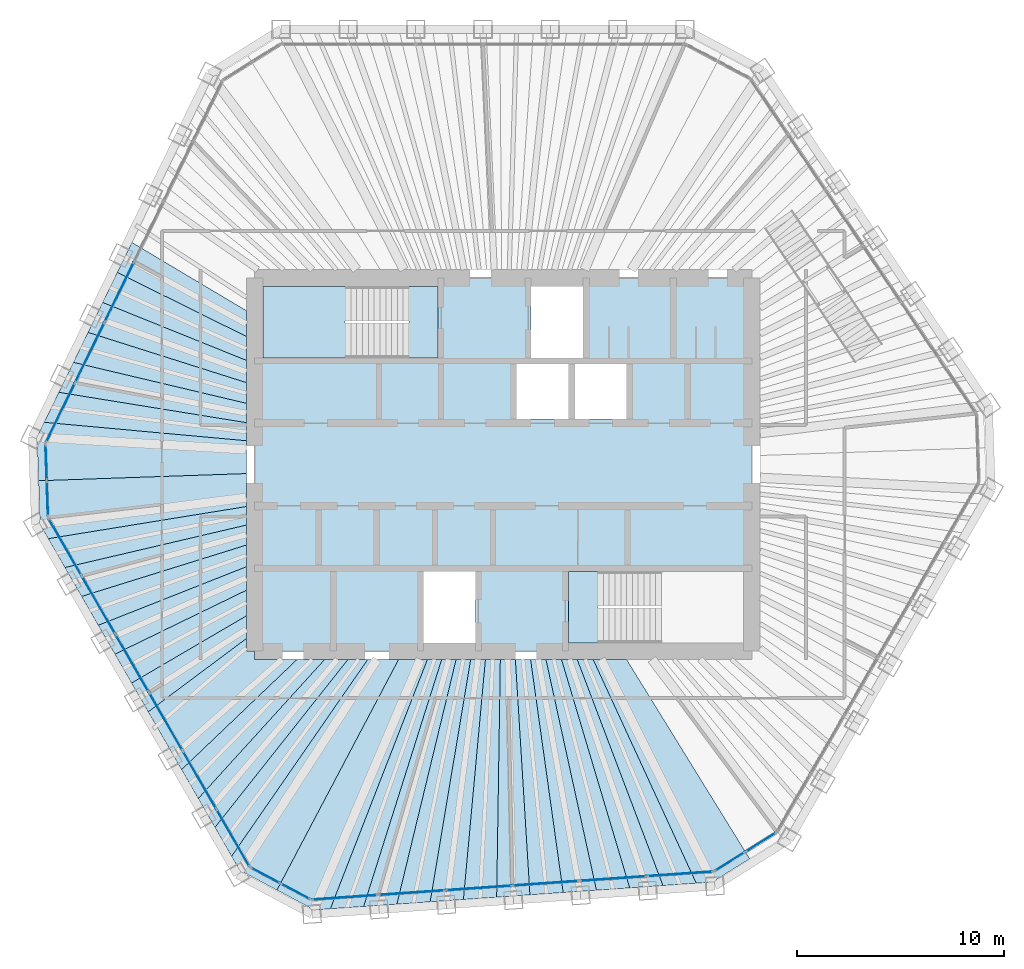
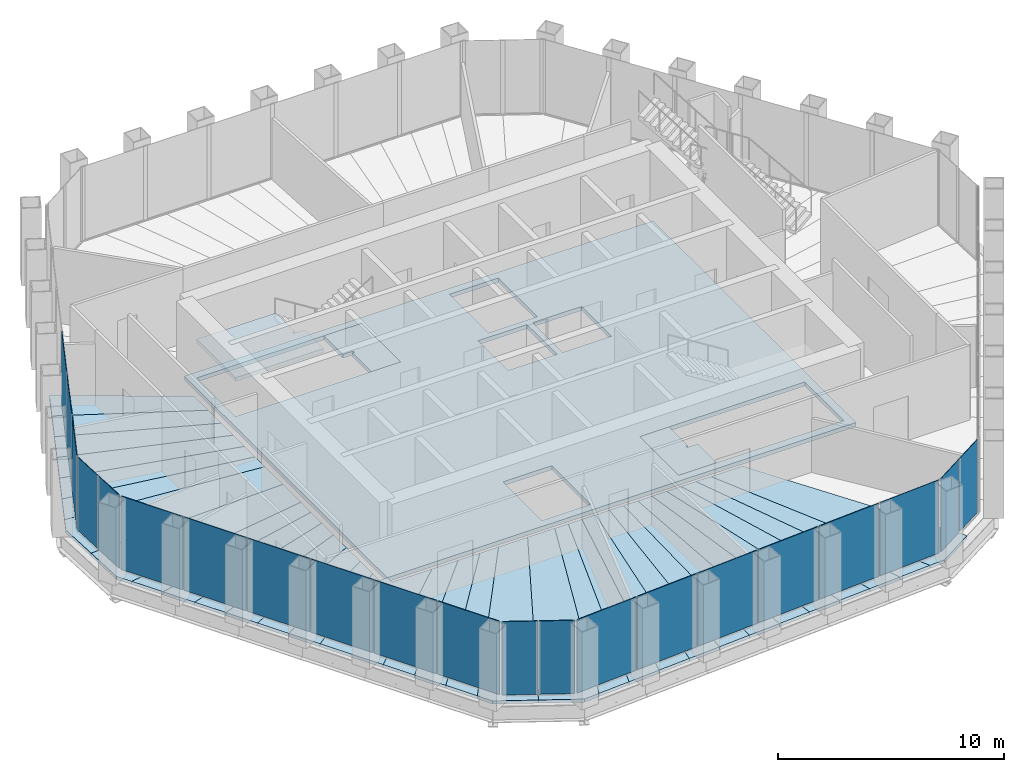
# One storey, part 9 of 14: 36 slabs, 21 plates, 8 elements without a shape of their own.
"""IFC4 building model written with IfcOpenShell, lengths in metres."""

from ifc_helpers import new_model, si_unit, direction, frame, origin, origin_2d, place, context, subcontext, project, spatial, polyline, rectangle, outline, extrude, material, layer, layer_set, type_object, element, aggregate, save


model = new_model("IFC4")

# Units and contexts
model_context = context("Model", 3, precision=1e-05, world=origin(), true_north=direction((0.0, 1.0)))
body_context = subcontext(model_context, "Body", "Model", "MODEL_VIEW")
ifc_project = project(units=[si_unit("LENGTHUNIT", "METRE"), si_unit("AREAUNIT", "SQUARE_METRE"), si_unit("VOLUMEUNIT", "CUBIC_METRE"), si_unit("PLANEANGLEUNIT", "RADIAN"), si_unit("MASSUNIT", "GRAM", prefix="KILO")], contexts=[model_context])

# Site, building, storey
site_placement = place(None, origin())
site = spatial("IfcSite", under=ifc_project, at=site_placement, CompositionType="ELEMENT")
building_placement = place(site_placement, origin())
building = spatial("IfcBuilding", under=site, at=building_placement, Name="Qingtian Harvest Tower", CompositionType="ELEMENT")
storey_placement = place(building_placement, frame((0.0, 0.0, 325.0)))
storey = spatial("IfcBuildingStorey", under=building, at=storey_placement, Name="L72", CompositionType="ELEMENT", Elevation=325.0)

# Slabs
ifc_material_1 = material(Name="Concrete fc' 35 MPa", Category="concrete")
ifc_layer_1 = layer(ifc_material_1, 0.169921875)
ifc_layer_set_1 = layer_set([ifc_layer_1], Name="Composite floor slab FS17 170")
slab_type_1 = type_object("IfcSlabType", Name="Composite floor slab FS17 170", PredefinedType="FLOOR", material=ifc_layer_set_1)
slab_1_placement = place(storey_placement, frame((0.0, 0.0, -0.169921875)))
element("IfcSlab", 1, at=slab_1_placement, inside=storey, type_object=slab_type_1, Name="Floor slab L72 panel D01", PredefinedType="FLOOR", context=body_context, shape_type="SweptSolid", body=[
    extrude(outline(polyline([(-22.422607421875, -0.783203125), (-12.39990234375, -0.436767578125), (-12.39990234375, -2.028564453125), (-21.95751953125, -3.578369140625), (-22.348876953125, -2.90087890625), (-22.422607421875, -0.783203125)])), origin(), (0.0, 0.0, 1.0), 0.169921875),
])
slab_2_placement = place(storey_placement, frame((0.0, 0.0, -0.169921875)))
element("IfcSlab", 2, at=slab_2_placement, inside=storey, type_object=slab_type_1, Name="Floor slab L72 panel D02", PredefinedType="FLOOR", context=body_context, shape_type="SweptSolid", body=[
    extrude(outline(polyline([(-12.39990234375, -2.923095703125), (-21.153076171875, -4.9716796875), (-21.95751953125, -3.578369140625), (-12.39990234375, -2.028564453125), (-12.39990234375, -2.923095703125)])), origin(), (0.0, 0.0, 1.0), 0.169921875),
])
slab_3_placement = place(storey_placement, frame((0.0, 0.0, -0.169921875)))
element("IfcSlab", 3, at=slab_3_placement, inside=storey, type_object=slab_type_1, Name="Floor slab L72 panel D03", PredefinedType="FLOOR", context=body_context, shape_type="SweptSolid", body=[
    extrude(outline(polyline([(-12.39990234375, -3.888427734375), (-20.3486328125, -6.365234375), (-21.153076171875, -4.9716796875), (-12.39990234375, -2.923095703125), (-12.39990234375, -3.888427734375)])), origin(), (0.0, 0.0, 1.0), 0.169921875),
])
slab_4_placement = place(storey_placement, frame((0.0, 0.0, -0.169921875)))
element("IfcSlab", 4, at=slab_4_placement, inside=storey, type_object=slab_type_1, Name="Floor slab L72 panel D04", PredefinedType="FLOOR", context=body_context, shape_type="SweptSolid", body=[
    extrude(outline(polyline([(-12.39990234375, -4.93359375), (-19.544189453125, -7.758544921875), (-20.3486328125, -6.365234375), (-12.39990234375, -3.888427734375), (-12.39990234375, -4.93359375)])), origin(), (0.0, 0.0, 1.0), 0.169921875),
])
slab_5_placement = place(storey_placement, frame((0.0, 0.0, -0.169921875)))
element("IfcSlab", 5, at=slab_5_placement, inside=storey, type_object=slab_type_1, Name="Floor slab L72 panel D05", PredefinedType="FLOOR", context=body_context, shape_type="SweptSolid", body=[
    extrude(outline(polyline([(-12.39990234375, -6.068359375), (-18.73974609375, -9.15185546875), (-19.544189453125, -7.758544921875), (-12.39990234375, -4.93359375), (-12.39990234375, -6.068359375)])), origin(), (0.0, 0.0, 1.0), 0.169921875),
])
slab_6_placement = place(storey_placement, frame((0.0, 0.0, -0.169921875)))
element("IfcSlab", 6, at=slab_6_placement, inside=storey, type_object=slab_type_1, Name="Floor slab L72 panel D06", PredefinedType="FLOOR", context=body_context, shape_type="SweptSolid", body=[
    extrude(outline(polyline([(-12.39990234375, -7.304931640625), (-17.93505859375, -10.54541015625), (-18.73974609375, -9.15185546875), (-12.39990234375, -6.068359375), (-12.39990234375, -7.304931640625)])), origin(), (0.0, 0.0, 1.0), 0.169921875),
])
slab_7_placement = place(storey_placement, frame((0.0, 0.0, -0.169921875)))
element("IfcSlab", 7, at=slab_7_placement, inside=storey, type_object=slab_type_1, Name="Floor slab L72 panel D07", PredefinedType="FLOOR", context=body_context, shape_type="SweptSolid", body=[
    extrude(outline(polyline([(-12.39990234375, -8.400390625), (-17.134033203125, -11.932861328125), (-17.93505859375, -10.54541015625), (-12.39990234375, -7.304931640625), (-12.39990234375, -8.400390625)])), origin(), (0.0, 0.0, 1.0), 0.169921875),
])
slab_8_placement = place(storey_placement, frame((0.0, 0.0, -0.169921875)))
element("IfcSlab", 8, at=slab_8_placement, inside=storey, type_object=slab_type_1, Name="Floor slab L72 panel D09", PredefinedType="FLOOR", context=body_context, shape_type="SweptSolid", body=[
    extrude(outline(polyline([(-15.522216796875, -14.724609375), (-17.134033203125, -11.932861328125), (-12.39990234375, -8.400390625), (-12.39990234375, -9.0), (-12.0, -9.0), (-12.0, -9.39990234375), (-9.943115234375, -9.39990234375), (-15.522216796875, -14.724609375)])), origin(), (0.0, 0.0, 1.0), 0.169921875),
])
slab_9_placement = place(storey_placement, frame((0.0, 0.0, -0.169921875)))
element("IfcSlab", 9, at=slab_9_placement, inside=storey, type_object=slab_type_1, Name="Floor slab L72 panel D10", PredefinedType="FLOOR", context=body_context, shape_type="SweptSolid", body=[
    extrude(outline(polyline([(-8.609130859375, -9.39990234375), (-14.7177734375, -16.1181640625), (-15.522216796875, -14.724609375), (-9.943115234375, -9.39990234375), (-8.609130859375, -9.39990234375)])), origin(), (0.0, 0.0, 1.0), 0.169921875),
])
slab_10_placement = place(storey_placement, frame((0.0, 0.0, -0.169921875)))
element("IfcSlab", 10, at=slab_10_placement, inside=storey, type_object=slab_type_1, Name="Floor slab L72 panel D11", PredefinedType="FLOOR", context=body_context, shape_type="SweptSolid", body=[
    extrude(outline(polyline([(-7.488525390625, -9.39990234375), (-13.9130859375, -17.51171875), (-14.7177734375, -16.1181640625), (-8.609130859375, -9.39990234375), (-7.488525390625, -9.39990234375)])), origin(), (0.0, 0.0, 1.0), 0.169921875),
])
slab_11_placement = place(storey_placement, frame((0.0, 0.0, -0.169921875)))
element("IfcSlab", 11, at=slab_11_placement, inside=storey, type_object=slab_type_1, Name="Floor slab L72 panel D12", PredefinedType="FLOOR", context=body_context, shape_type="SweptSolid", body=[
    extrude(outline(polyline([(-6.533935546875, -9.39990234375), (-13.108642578125, -18.905029296875), (-13.9130859375, -17.51171875), (-7.488525390625, -9.39990234375), (-6.533935546875, -9.39990234375)])), origin(), (0.0, 0.0, 1.0), 0.169921875),
])
slab_12_placement = place(storey_placement, frame((0.0, 0.0, -0.169921875)))
element("IfcSlab", 12, at=slab_12_placement, inside=storey, type_object=slab_type_1, Name="Floor slab L72 panel D13", PredefinedType="FLOOR", context=body_context, shape_type="SweptSolid", body=[
    extrude(outline(polyline([(-6.533935546875, -9.39990234375), (-5.04638671875, -9.39990234375), (-10.921142578125, -20.537841796875), (-12.717529296875, -19.582763671875), (-13.108642578125, -18.905029296875), (-6.533935546875, -9.39990234375)])), origin(), (0.0, 0.0, 1.0), 0.169921875),
])
slab_13_placement = place(storey_placement, frame((0.0, 0.0, -0.169921875)))
element("IfcSlab", 13, at=slab_13_placement, inside=storey, type_object=slab_type_1, Name="Floor slab L72 panel D14", PredefinedType="FLOOR", context=body_context, shape_type="SweptSolid", body=[
    extrude(outline(polyline([(-5.04638671875, -9.39990234375), (-3.656982421875, -9.39990234375), (-8.343017578125, -21.439208984375), (-9.123291015625, -21.49365234375), (-10.921142578125, -20.537841796875), (-5.04638671875, -9.39990234375)])), origin(), (0.0, 0.0, 1.0), 0.169921875),
])
slab_14_placement = place(storey_placement, frame((0.0, 0.0, -0.169921875)))
element("IfcSlab", 14, at=slab_14_placement, inside=storey, type_object=slab_type_1, Name="Floor slab L72 panel D15", PredefinedType="FLOOR", context=body_context, shape_type="SweptSolid", body=[
    extrude(outline(polyline([(-2.968994140625, -9.39990234375), (-6.738037109375, -21.326904296875), (-8.343017578125, -21.439208984375), (-3.656982421875, -9.39990234375), (-2.968994140625, -9.39990234375)])), origin(), (0.0, 0.0, 1.0), 0.169921875),
])
slab_15_placement = place(storey_placement, frame((0.0, 0.0, -0.169921875)))
element("IfcSlab", 15, at=slab_15_placement, inside=storey, type_object=slab_type_1, Name="Floor slab L72 panel D16", PredefinedType="FLOOR", context=body_context, shape_type="SweptSolid", body=[
    extrude(outline(polyline([(-2.2734375, -9.39990234375), (-5.133056640625, -21.21484375), (-6.738037109375, -21.326904296875), (-2.968994140625, -9.39990234375), (-2.2734375, -9.39990234375)])), origin(), (0.0, 0.0, 1.0), 0.169921875),
])
slab_16_placement = place(storey_placement, frame((0.0, 0.0, -0.169921875)))
element("IfcSlab", 16, at=slab_16_placement, inside=storey, type_object=slab_type_1, Name="Floor slab L72 panel D17", PredefinedType="FLOOR", context=body_context, shape_type="SweptSolid", body=[
    extrude(outline(polyline([(-1.570556640625, -9.39990234375), (-3.528076171875, -21.1025390625), (-5.133056640625, -21.21484375), (-2.2734375, -9.39990234375), (-1.570556640625, -9.39990234375)])), origin(), (0.0, 0.0, 1.0), 0.169921875),
])
slab_17_placement = place(storey_placement, frame((0.0, 0.0, -0.169921875)))
element("IfcSlab", 17, at=slab_17_placement, inside=storey, type_object=slab_type_1, Name="Floor slab L72 panel D18", PredefinedType="FLOOR", context=body_context, shape_type="SweptSolid", body=[
    extrude(outline(polyline([(-0.860107421875, -9.39990234375), (-1.9228515625, -20.990234375), (-3.528076171875, -21.1025390625), (-1.570556640625, -9.39990234375), (-0.860107421875, -9.39990234375)])), origin(), (0.0, 0.0, 1.0), 0.169921875),
])
slab_18_placement = place(storey_placement, frame((0.0, 0.0, -0.169921875)))
element("IfcSlab", 18, at=slab_18_placement, inside=storey, type_object=slab_type_1, Name="Floor slab L72 panel D19", PredefinedType="FLOOR", context=body_context, shape_type="SweptSolid", body=[
    extrude(outline(polyline([(-0.14208984375, -9.39990234375), (-0.31787109375, -20.8779296875), (-1.9228515625, -20.990234375), (-0.860107421875, -9.39990234375), (-0.14208984375, -9.39990234375)])), origin(), (0.0, 0.0, 1.0), 0.169921875),
])
slab_19_placement = place(storey_placement, frame((0.0, 0.0, -0.169921875)))
element("IfcSlab", 19, at=slab_19_placement, inside=storey, type_object=slab_type_1, Name="Floor slab L72 panel D20", PredefinedType="FLOOR", context=body_context, shape_type="SweptSolid", body=[
    extrude(outline(polyline([(0.58349609375, -9.39990234375), (1.287109375, -20.765869140625), (-0.31787109375, -20.8779296875), (-0.14208984375, -9.39990234375), (0.58349609375, -9.39990234375)])), origin(), (0.0, 0.0, 1.0), 0.169921875),
])
slab_20_placement = place(storey_placement, frame((0.0, 0.0, -0.169921875)))
element("IfcSlab", 20, at=slab_20_placement, inside=storey, type_object=slab_type_1, Name="Floor slab L72 panel D21", PredefinedType="FLOOR", context=body_context, shape_type="SweptSolid", body=[
    extrude(outline(polyline([(1.3173828125, -9.39990234375), (2.89208984375, -20.653564453125), (1.287109375, -20.765869140625), (0.58349609375, -9.39990234375), (1.3173828125, -9.39990234375)])), origin(), (0.0, 0.0, 1.0), 0.169921875),
])
slab_21_placement = place(storey_placement, frame((0.0, 0.0, -0.169921875)))
element("IfcSlab", 21, at=slab_21_placement, inside=storey, type_object=slab_type_1, Name="Floor slab L72 panel D22", PredefinedType="FLOOR", context=body_context, shape_type="SweptSolid", body=[
    extrude(outline(polyline([(2.058837890625, -9.39990234375), (4.4970703125, -20.541259765625), (2.89208984375, -20.653564453125), (1.3173828125, -9.39990234375), (2.058837890625, -9.39990234375)])), origin(), (0.0, 0.0, 1.0), 0.169921875),
])
slab_22_placement = place(storey_placement, frame((0.0, 0.0, -0.169921875)))
element("IfcSlab", 22, at=slab_22_placement, inside=storey, type_object=slab_type_1, Name="Floor slab L72 panel D23", PredefinedType="FLOOR", context=body_context, shape_type="SweptSolid", body=[
    extrude(outline(polyline([(2.808837890625, -9.39990234375), (6.10205078125, -20.42919921875), (4.4970703125, -20.541259765625), (2.058837890625, -9.39990234375), (2.808837890625, -9.39990234375)])), origin(), (0.0, 0.0, 1.0), 0.169921875),
])
slab_23_placement = place(storey_placement, frame((0.0, 0.0, -0.169921875)))
element("IfcSlab", 23, at=slab_23_placement, inside=storey, type_object=slab_type_1, Name="Floor slab L72 panel D24", PredefinedType="FLOOR", context=body_context, shape_type="SweptSolid", body=[
    extrude(outline(polyline([(3.56689453125, -9.39990234375), (7.70703125, -20.31689453125), (6.10205078125, -20.42919921875), (2.808837890625, -9.39990234375), (3.56689453125, -9.39990234375)])), origin(), (0.0, 0.0, 1.0), 0.169921875),
])
slab_24_placement = place(storey_placement, frame((0.0, 0.0, -0.169921875)))
element("IfcSlab", 24, at=slab_24_placement, inside=storey, type_object=slab_type_1, Name="Floor slab L72 panel D25", PredefinedType="FLOOR", context=body_context, shape_type="SweptSolid", body=[
    extrude(outline(polyline([(4.33349609375, -9.39990234375), (9.312255859375, -20.20458984375), (7.70703125, -20.31689453125), (3.56689453125, -9.39990234375), (4.33349609375, -9.39990234375)])), origin(), (0.0, 0.0, 1.0), 0.169921875),
])
slab_25_placement = place(storey_placement, frame((0.0, 0.0, -0.169921875)))
element("IfcSlab", 25, at=slab_25_placement, inside=storey, type_object=slab_type_1, Name="Floor slab L72 panel D26", PredefinedType="FLOOR", context=body_context, shape_type="SweptSolid", body=[
    extrude(outline(polyline([(4.33349609375, -9.39990234375), (5.945556640625, -9.39990234375), (11.890380859375, -19.026611328125), (10.09228515625, -20.150146484375), (9.312255859375, -20.20458984375), (4.33349609375, -9.39990234375)])), origin(), (0.0, 0.0, 1.0), 0.169921875),
])
slab_26_placement = place(storey_placement, frame((0.0, 0.0, -0.169921875)))
element("IfcSlab", 26, at=slab_26_placement, inside=storey, type_object=slab_type_1, Name="Floor slab L72 panel D72", PredefinedType="FLOOR", context=body_context, shape_type="SweptSolid", body=[
    extrude(outline(polyline([(-12.39990234375, 6.18115234375), (-18.627197265625, 9.2685546875), (-17.921875, 10.714599609375), (-12.39990234375, 7.42578125), (-12.39990234375, 6.18115234375)])), origin(), (0.0, 0.0, 1.0), 0.169921875),
])
slab_27_placement = place(storey_placement, frame((0.0, 0.0, -0.169921875)))
element("IfcSlab", 27, at=slab_27_placement, inside=storey, type_object=slab_type_1, Name="Floor slab L72 panel D73", PredefinedType="FLOOR", context=body_context, shape_type="SweptSolid", body=[
    extrude(outline(polyline([(-12.39990234375, 5.02734375), (-19.33251953125, 7.822509765625), (-18.627197265625, 9.2685546875), (-12.39990234375, 6.18115234375), (-12.39990234375, 5.02734375)])), origin(), (0.0, 0.0, 1.0), 0.169921875),
])
slab_28_placement = place(storey_placement, frame((0.0, 0.0, -0.169921875)))
element("IfcSlab", 28, at=slab_28_placement, inside=storey, type_object=slab_type_1, Name="Floor slab L72 panel D74", PredefinedType="FLOOR", context=body_context, shape_type="SweptSolid", body=[
    extrude(outline(polyline([(-12.39990234375, 3.954833984375), (-20.037841796875, 6.376220703125), (-19.33251953125, 7.822509765625), (-12.39990234375, 5.02734375), (-12.39990234375, 3.954833984375)])), origin(), (0.0, 0.0, 1.0), 0.169921875),
])
slab_29_placement = place(storey_placement, frame((0.0, 0.0, -0.169921875)))
element("IfcSlab", 29, at=slab_29_placement, inside=storey, type_object=slab_type_1, Name="Floor slab L72 panel D75", PredefinedType="FLOOR", context=body_context, shape_type="SweptSolid", body=[
    extrude(outline(polyline([(-12.39990234375, 2.955322265625), (-20.7431640625, 4.93017578125), (-20.037841796875, 6.376220703125), (-12.39990234375, 3.954833984375), (-12.39990234375, 2.955322265625)])), origin(), (0.0, 0.0, 1.0), 0.169921875),
])
slab_30_placement = place(storey_placement, frame((0.0, 0.0, -0.169921875)))
element("IfcSlab", 30, at=slab_30_placement, inside=storey, type_object=slab_type_1, Name="Floor slab L72 panel D76", PredefinedType="FLOOR", context=body_context, shape_type="SweptSolid", body=[
    extrude(outline(polyline([(-12.39990234375, 2.021484375), (-21.448486328125, 3.484130859375), (-20.7431640625, 4.93017578125), (-12.39990234375, 2.955322265625), (-12.39990234375, 2.021484375)])), origin(), (0.0, 0.0, 1.0), 0.169921875),
])
slab_31_placement = place(storey_placement, frame((0.0, 0.0, -0.169921875)))
element("IfcSlab", 31, at=slab_31_placement, inside=storey, type_object=slab_type_1, Name="Floor slab L72 panel D77", PredefinedType="FLOOR", context=body_context, shape_type="SweptSolid", body=[
    extrude(outline(polyline([(-12.39990234375, 1.147216796875), (-22.15380859375, 2.037841796875), (-21.448486328125, 3.484130859375), (-12.39990234375, 2.021484375), (-12.39990234375, 1.147216796875)])), origin(), (0.0, 0.0, 1.0), 0.169921875),
])
slab_32_placement = place(storey_placement, frame((0.0, 0.0, -0.169921875)))
element("IfcSlab", 32, at=slab_32_placement, inside=storey, type_object=slab_type_1, Name="Floor slab L72 panel D78", PredefinedType="FLOOR", context=body_context, shape_type="SweptSolid", body=[
    extrude(outline(polyline([(-12.39990234375, 1.147216796875), (-12.39990234375, -0.436767578125), (-22.422607421875, -0.783203125), (-22.49658203125, 1.334716796875), (-22.15380859375, 2.037841796875), (-12.39990234375, 1.147216796875)])), origin(), (0.0, 0.0, 1.0), 0.169921875),
])
ifc_material_2 = material(Name="Concrete fc' 35 MPa", Category="concrete")
ifc_layer_2 = layer(ifc_material_2, 0.219970703125)
ifc_layer_set_2 = layer_set([ifc_layer_2], Name="Core floor slab CS22 220")
slab_type_2 = type_object("IfcSlabType", Name="Core floor slab CS22 220", PredefinedType="FLOOR", material=ifc_layer_set_2)
slab_33_placement = place(storey_placement, frame((0.0, 0.0, -0.219970703125)))
element("IfcSlab", 33, at=slab_33_placement, inside=storey, type_object=slab_type_2, Name="Core floor slab L72", PredefinedType="FLOOR", context=body_context, shape_type="SweptSolid", body=[
    extrude(outline(polyline([(-12.0, -9.0), (12.0, -9.0), (12.0, 9.0), (-12.0, 9.0), (-12.0, -9.0)]), holes=[polyline([(-11.60009765625, 5.14990234375), (-3.14990234375, 5.14990234375), (-3.14990234375, 8.60009765625), (-11.60009765625, 8.60009765625), (-11.60009765625, 5.14990234375)]), polyline([(3.14990234375, -8.60009765625), (11.60009765625, -8.60009765625), (11.60009765625, -5.14990234375), (3.14990234375, -5.14990234375), (3.14990234375, -8.60009765625)]), polyline([(1.35009765625, 5.14990234375), (3.85009765625, 5.14990234375), (3.85009765625, 8.60009765625), (1.35009765625, 8.60009765625), (1.35009765625, 5.14990234375)]), polyline([(-3.85009765625, -8.60009765625), (-1.35009765625, -8.60009765625), (-1.35009765625, -5.14990234375), (-3.85009765625, -5.14990234375), (-3.85009765625, -8.60009765625)]), polyline([(0.64990234375, 2.199951171875), (3.14990234375, 2.199951171875), (3.14990234375, 4.85009765625), (0.64990234375, 4.85009765625), (0.64990234375, 2.199951171875)]), polyline([(3.449951171875, 2.199951171875), (5.949951171875, 2.199951171875), (5.949951171875, 4.85009765625), (3.449951171875, 4.85009765625), (3.449951171875, 2.199951171875)])]), origin(), (0.0, 0.0, 1.0), 0.219970703125),
])

# Curtain wall, plates
ifc_material_3 = material(Name="Bronze-anodised aluminium curtain wall", Category="aluminium")
curtain_wall_type = type_object("IfcCurtainWallType", Name="Curtain wall CW6 executive floors", PredefinedType="USERDEFINED", material=ifc_material_3)
curtain_wall_1_placement = place(storey_placement, origin())
curtain_wall_1 = element("IfcCurtainWall", 34, at=curtain_wall_1_placement, inside=storey, type_object=curtain_wall_type, Name="Curtain wall CW6 L72 SEC", ObjectType="RECESSED CURTAIN WALL", PredefinedType="USERDEFINED")
ifc_material_4 = material(Name="Bronze-tinted laminated insulating glass", Category="glass")
ifc_layer_3 = layer(ifc_material_4, 0.030029296875)
ifc_layer_set_3 = layer_set([ifc_layer_3], Name="Glazed panel CWP tinted IGU")
plate_type = type_object("IfcPlateType", Name="Glazed panel CWP tinted IGU", PredefinedType="CURTAIN_PANEL", material=ifc_layer_set_3)
plate_1_placement = place(storey_placement, frame((12.42431640625, -18.224609375, 0.06494140625), z_axis=(0.0, 0.0, 1.0), x_axis=(-0.848048096156, -0.529919264233, 0.0)))
plate_1 = element("IfcPlate", 35, at=plate_1_placement, type_object=plate_type, Name="CW6 panel 1.1", PredefinedType="CURTAIN_PANEL", context=body_context, shape_type="SweptSolid", body=[
    extrude(rectangle(XDim=1.69287109375, YDim=0.030029296875, at=origin_2d()), origin(), (0.0, 0.0, 1.0), 3.965087890625),
])
plate_2_placement = place(storey_placement, frame((10.93359375, -19.156005859375, 0.06494140625), z_axis=(0.0, 0.0, 1.0), x_axis=(-0.848048096156, -0.529919264233, 0.0)))
plate_2 = element("IfcPlate", 36, at=plate_2_placement, type_object=plate_type, Name="CW6 panel 2.1", PredefinedType="CURTAIN_PANEL", context=body_context, shape_type="SweptSolid", body=[
    extrude(rectangle(XDim=1.69287109375, YDim=0.030029296875, at=origin_2d()), origin(), (0.0, 0.0, 1.0), 3.965087890625),
])
aggregate(curtain_wall_1, [plate_1, plate_2])

curtain_wall_2_placement = place(storey_placement, origin())
curtain_wall_2 = element("IfcCurtainWall", 37, at=curtain_wall_2_placement, inside=storey, type_object=curtain_wall_type, Name="Curtain wall CW6 L72 S0-5", ObjectType="RECESSED CURTAIN WALL", PredefinedType="USERDEFINED")
plate_3_placement = place(storey_placement, frame((8.5244140625, -19.75341796875, 0.06494140625), z_axis=(0.0, 0.0, 1.0), x_axis=(-0.99756405026, -0.069756473744, 0.0)))
plate_3 = element("IfcPlate", 38, at=plate_3_placement, type_object=plate_type, Name="CW6 panel 1.1", PredefinedType="CURTAIN_PANEL", context=body_context, shape_type="SweptSolid", body=[
    extrude(rectangle(XDim=3.150634765625, YDim=0.030029296875, at=origin_2d()), origin(), (0.0, 0.0, 1.0), 3.965087890625),
])
plate_4_placement = place(storey_placement, frame((5.300537109375, -19.97900390625, 0.06494140625), z_axis=(0.0, 0.0, 1.0), x_axis=(-0.99756405026, -0.069756473744, 0.0)))
plate_4 = element("IfcPlate", 39, at=plate_4_placement, type_object=plate_type, Name="CW6 panel 2.1", PredefinedType="CURTAIN_PANEL", context=body_context, shape_type="SweptSolid", body=[
    extrude(rectangle(XDim=3.18310546875, YDim=0.030029296875, at=origin_2d()), origin(), (0.0, 0.0, 1.0), 3.965087890625),
])
plate_5_placement = place(storey_placement, frame((2.060302734375, -20.20556640625, 0.06494140625), z_axis=(0.0, 0.0, 1.0), x_axis=(-0.99756405026, -0.069756473744, 0.0)))
plate_5 = element("IfcPlate", 40, at=plate_5_placement, type_object=plate_type, Name="CW6 panel 3.1", PredefinedType="CURTAIN_PANEL", context=body_context, shape_type="SweptSolid", body=[
    extrude(rectangle(XDim=3.18310546875, YDim=0.030029296875, at=origin_2d()), origin(), (0.0, 0.0, 1.0), 3.965087890625),
])
plate_6_placement = place(storey_placement, frame((-1.1796875, -20.43212890625, 0.06494140625), z_axis=(0.0, 0.0, 1.0), x_axis=(-0.99756405026, -0.069756473744, 0.0)))
plate_6 = element("IfcPlate", 41, at=plate_6_placement, type_object=plate_type, Name="CW6 panel 4.1", PredefinedType="CURTAIN_PANEL", context=body_context, shape_type="SweptSolid", body=[
    extrude(rectangle(XDim=3.18310546875, YDim=0.030029296875, at=origin_2d()), origin(), (0.0, 0.0, 1.0), 3.965087890625),
])
plate_7_placement = place(storey_placement, frame((-4.419921875, -20.65869140625, 0.06494140625), z_axis=(0.0, 0.0, 1.0), x_axis=(-0.99756405026, -0.069756473744, 0.0)))
plate_7 = element("IfcPlate", 42, at=plate_7_placement, type_object=plate_type, Name="CW6 panel 5.1", PredefinedType="CURTAIN_PANEL", context=body_context, shape_type="SweptSolid", body=[
    extrude(rectangle(XDim=3.18310546875, YDim=0.030029296875, at=origin_2d()), origin(), (0.0, 0.0, 1.0), 3.965087890625),
])
plate_8_placement = place(storey_placement, frame((-7.643798828125, -20.884033203125, 0.06494140625), z_axis=(0.0, 0.0, 1.0), x_axis=(-0.99756405026, -0.069756473744, 0.0)))
plate_8 = element("IfcPlate", 43, at=plate_8_placement, type_object=plate_type, Name="CW6 panel 6.1", PredefinedType="CURTAIN_PANEL", context=body_context, shape_type="SweptSolid", body=[
    extrude(rectangle(XDim=3.150634765625, YDim=0.030029296875, at=origin_2d()), origin(), (0.0, 0.0, 1.0), 3.965087890625),
])
aggregate(curtain_wall_2, [plate_3, plate_4, plate_5, plate_6, plate_7, plate_8])

curtain_wall_3_placement = place(storey_placement, origin())
curtain_wall_3 = element("IfcCurtainWall", 44, at=curtain_wall_3_placement, inside=storey, type_object=curtain_wall_type, Name="Curtain wall CW6 L72 SC", ObjectType="RECESSED CURTAIN WALL", PredefinedType="USERDEFINED")
plate_9_placement = place(storey_placement, frame((-10.029296875, -20.60009765625, 0.06494140625), z_axis=(0.0, 0.0, 1.0), x_axis=(-0.882947592859, 0.469471562786, 0.0)))
plate_9 = element("IfcPlate", 45, at=plate_9_placement, type_object=plate_type, Name="CW6 panel 1.1", PredefinedType="CURTAIN_PANEL", context=body_context, shape_type="SweptSolid", body=[
    extrude(rectangle(XDim=1.56689453125, YDim=0.030029296875, at=origin_2d()), origin(), (0.0, 0.0, 1.0), 3.965087890625),
])
plate_10_placement = place(storey_placement, frame((-11.469970703125, -19.833984375, 0.06494140625), z_axis=(0.0, 0.0, 1.0), x_axis=(-0.882947592859, 0.469471562786, 0.0)))
plate_10 = element("IfcPlate", 46, at=plate_10_placement, type_object=plate_type, Name="CW6 panel 2.1", PredefinedType="CURTAIN_PANEL", context=body_context, shape_type="SweptSolid", body=[
    extrude(rectangle(XDim=1.56689453125, YDim=0.030029296875, at=origin_2d()), origin(), (0.0, 0.0, 1.0), 3.965087890625),
])
aggregate(curtain_wall_3, [plate_9, plate_10])

curtain_wall_4_placement = place(storey_placement, origin())
curtain_wall_4 = element("IfcCurtainWall", 47, at=curtain_wall_4_placement, inside=storey, type_object=curtain_wall_type, Name="Curtain wall CW6 L72 SW0-5", ObjectType="RECESSED CURTAIN WALL", PredefinedType="USERDEFINED")
plate_11_placement = place(storey_placement, frame((-13.039306640625, -18.01513671875, 0.06494140625), z_axis=(0.0, 0.0, 1.0), x_axis=(-0.5, 0.866025403784, 0.0)))
plate_11 = element("IfcPlate", 48, at=plate_11_placement, type_object=plate_type, Name="CW6 panel 1.1", PredefinedType="CURTAIN_PANEL", context=body_context, shape_type="SweptSolid", body=[
    extrude(rectangle(XDim=3.150634765625, YDim=0.030029296875, at=origin_2d()), origin(), (0.0, 0.0, 1.0), 3.965087890625),
])
plate_12_placement = place(storey_placement, frame((-14.6552734375, -15.216552734375, 0.06494140625), z_axis=(0.0, 0.0, 1.0), x_axis=(-0.5, 0.866025403784, 0.0)))
plate_12 = element("IfcPlate", 49, at=plate_12_placement, type_object=plate_type, Name="CW6 panel 2.1", PredefinedType="CURTAIN_PANEL", context=body_context, shape_type="SweptSolid", body=[
    extrude(rectangle(XDim=3.18310546875, YDim=0.030029296875, at=origin_2d()), origin(), (0.0, 0.0, 1.0), 3.965087890625),
])
plate_13_placement = place(storey_placement, frame((-16.279296875, -12.403564453125, 0.06494140625), z_axis=(0.0, 0.0, 1.0), x_axis=(-0.5, 0.866025403784, 0.0)))
plate_13 = element("IfcPlate", 50, at=plate_13_placement, type_object=plate_type, Name="CW6 panel 3.1", PredefinedType="CURTAIN_PANEL", context=body_context, shape_type="SweptSolid", body=[
    extrude(rectangle(XDim=3.18310546875, YDim=0.030029296875, at=origin_2d()), origin(), (0.0, 0.0, 1.0), 3.965087890625),
])
plate_14_placement = place(storey_placement, frame((-17.9033203125, -9.590576171875, 0.06494140625), z_axis=(0.0, 0.0, 1.0), x_axis=(-0.5, 0.866025403784, 0.0)))
plate_14 = element("IfcPlate", 51, at=plate_14_placement, type_object=plate_type, Name="CW6 panel 4.1", PredefinedType="CURTAIN_PANEL", context=body_context, shape_type="SweptSolid", body=[
    extrude(rectangle(XDim=3.18310546875, YDim=0.030029296875, at=origin_2d()), origin(), (0.0, 0.0, 1.0), 3.965087890625),
])
plate_15_placement = place(storey_placement, frame((-19.52734375, -6.77783203125, 0.06494140625), z_axis=(0.0, 0.0, 1.0), x_axis=(-0.5, 0.866025403784, 0.0)))
plate_15 = element("IfcPlate", 52, at=plate_15_placement, type_object=plate_type, Name="CW6 panel 5.1", PredefinedType="CURTAIN_PANEL", context=body_context, shape_type="SweptSolid", body=[
    extrude(rectangle(XDim=3.18310546875, YDim=0.030029296875, at=origin_2d()), origin(), (0.0, 0.0, 1.0), 3.965087890625),
])
plate_16_placement = place(storey_placement, frame((-21.14306640625, -3.97900390625, 0.06494140625), z_axis=(0.0, 0.0, 1.0), x_axis=(-0.5, 0.866025403784, 0.0)))
plate_16 = element("IfcPlate", 53, at=plate_16_placement, type_object=plate_type, Name="CW6 panel 6.1", PredefinedType="CURTAIN_PANEL", context=body_context, shape_type="SweptSolid", body=[
    extrude(rectangle(XDim=3.150634765625, YDim=0.030029296875, at=origin_2d()), origin(), (0.0, 0.0, 1.0), 3.965087890625),
])
aggregate(curtain_wall_4, [plate_11, plate_12, plate_13, plate_14, plate_15, plate_16])

curtain_wall_5_placement = place(storey_placement, origin())
curtain_wall_5 = element("IfcCurtainWall", 54, at=curtain_wall_5_placement, inside=storey, type_object=curtain_wall_type, Name="Curtain wall CW6 L72 SWC", ObjectType="RECESSED CURTAIN WALL", PredefinedType="USERDEFINED")
plate_17_placement = place(storey_placement, frame((-21.9951171875, -1.647705078125, 0.06494140625), z_axis=(0.0, 0.0, 1.0), x_axis=(-0.034899496703, 0.999390827019, 0.0)))
plate_17 = element("IfcPlate", 55, at=plate_17_placement, type_object=plate_type, Name="CW6 panel 1.1", PredefinedType="CURTAIN_PANEL", context=body_context, shape_type="SweptSolid", body=[
    extrude(rectangle(XDim=1.69287109375, YDim=0.030029296875, at=origin_2d()), origin(), (0.0, 0.0, 1.0), 3.965087890625),
])
plate_18_placement = place(storey_placement, frame((-22.056396484375, 0.109375, 0.06494140625), z_axis=(0.0, 0.0, 1.0), x_axis=(-0.034899496703, 0.999390827019, 0.0)))
plate_18 = element("IfcPlate", 56, at=plate_18_placement, type_object=plate_type, Name="CW6 panel 2.1", PredefinedType="CURTAIN_PANEL", context=body_context, shape_type="SweptSolid", body=[
    extrude(rectangle(XDim=1.69287109375, YDim=0.030029296875, at=origin_2d()), origin(), (0.0, 0.0, 1.0), 3.965087890625),
])
aggregate(curtain_wall_5, [plate_17, plate_18])

curtain_wall_6_placement = place(storey_placement, origin())
curtain_wall_6 = element("IfcCurtainWall", 57, at=curtain_wall_6_placement, inside=storey, type_object=curtain_wall_type, Name="Curtain wall CW6 L72 NW0-5", ObjectType="RECESSED CURTAIN WALL", PredefinedType="USERDEFINED")
plate_19_placement = place(storey_placement, frame((-21.369140625, 2.494384765625, 0.06494140625), z_axis=(0.0, 0.0, 1.0), x_axis=(0.438371146789, 0.898794046299, 0.0)))
plate_19 = element("IfcPlate", 58, at=plate_19_placement, type_object=plate_type, Name="CW6 panel 1.1", PredefinedType="CURTAIN_PANEL", context=body_context, shape_type="SweptSolid", body=[
    extrude(rectangle(XDim=3.150634765625, YDim=0.030029296875, at=origin_2d()), origin(), (0.0, 0.0, 1.0), 3.965087890625),
])
plate_20_placement = place(storey_placement, frame((-19.952392578125, 5.399169921875, 0.06494140625), z_axis=(0.0, 0.0, 1.0), x_axis=(0.438371146789, 0.898794046299, 0.0)))
plate_20 = element("IfcPlate", 59, at=plate_20_placement, type_object=plate_type, Name="CW6 panel 2.1", PredefinedType="CURTAIN_PANEL", context=body_context, shape_type="SweptSolid", body=[
    extrude(rectangle(XDim=3.18310546875, YDim=0.030029296875, at=origin_2d()), origin(), (0.0, 0.0, 1.0), 3.965087890625),
])
plate_21_placement = place(storey_placement, frame((-18.528564453125, 8.318359375, 0.06494140625), z_axis=(0.0, 0.0, 1.0), x_axis=(0.438371146789, 0.898794046299, 0.0)))
plate_21 = element("IfcPlate", 60, at=plate_21_placement, type_object=plate_type, Name="CW6 panel 3.1", PredefinedType="CURTAIN_PANEL", context=body_context, shape_type="SweptSolid", body=[
    extrude(rectangle(XDim=3.18310546875, YDim=0.030029296875, at=origin_2d()), origin(), (0.0, 0.0, 1.0), 3.965087890625),
])
aggregate(curtain_wall_6, [plate_19, plate_20, plate_21])

# Stair, slabs
ifc_material_5 = material(Name="Concrete fc' 35 MPa", Category="concrete")
stair_type = type_object("IfcStairType", Name="Special stair ST7 4200", PredefinedType="HALF_TURN_STAIR", material=ifc_material_5)
stair_1_placement = place(storey_placement, origin())
stair_1 = element("IfcStair", 61, at=stair_1_placement, inside=storey, type_object=stair_type, Name="Special stair S1 L72", PredefinedType="HALF_TURN_STAIR")
ifc_material_6 = material(Name="Concrete fc' 35 MPa", Category="concrete")
ifc_layer_4 = layer(ifc_material_6, 0.199951171875)
ifc_layer_set_4 = layer_set([ifc_layer_4], Name="Stair landing SL2 200")
slab_type_3 = type_object("IfcSlabType", Name="Stair landing SL2 200", PredefinedType="LANDING", material=ifc_layer_set_4)
slab_34_placement = place(storey_placement, frame((0.0, 0.0, -0.199951171875)))
slab_34 = element("IfcSlab", 62, at=slab_34_placement, type_object=slab_type_3, Name="S1 landing 1", PredefinedType="LANDING", context=body_context, shape_type="SweptSolid", body=[
    extrude(outline(polyline([(-4.64990234375, 5.14990234375), (-4.64990234375, 6.824951171875), (-4.550048828125, 6.824951171875), (-4.550048828125, 6.925048828125), (-5.0849609375, 6.925048828125), (-5.0849609375, 8.60009765625), (-3.14990234375, 8.60009765625), (-3.14990234375, 5.14990234375), (-4.64990234375, 5.14990234375)])), origin(), (0.0, 0.0, 1.0), 0.199951171875),
])
slab_35_placement = place(storey_placement, frame((0.0, 0.0, 1.89990234375)))
slab_35 = element("IfcSlab", 63, at=slab_35_placement, type_object=slab_type_3, Name="S1 landing 2", PredefinedType="LANDING", context=body_context, shape_type="SweptSolid", body=[
    extrude(outline(polyline([(-7.094970703125, 5.14990234375), (-11.60009765625, 5.14990234375), (-11.60009765625, 8.60009765625), (-7.530029296875, 8.60009765625), (-7.530029296875, 6.925048828125), (-7.6298828125, 6.925048828125), (-7.6298828125, 6.824951171875), (-7.094970703125, 6.824951171875), (-7.094970703125, 5.14990234375)])), origin(), (0.0, 0.0, 1.0), 0.2001953125),
])
aggregate(stair_1, [slab_34, slab_35])

# Stair, slab
stair_2_placement = place(storey_placement, origin())
stair_2 = element("IfcStair", 64, at=stair_2_placement, inside=storey, type_object=stair_type, Name="Special stair S2 L72", PredefinedType="HALF_TURN_STAIR")
slab_36_placement = place(storey_placement, frame((0.0, 0.0, -0.199951171875)))
slab_36 = element("IfcSlab", 65, at=slab_36_placement, type_object=slab_type_3, Name="S2 landing 1", PredefinedType="LANDING", context=body_context, shape_type="SweptSolid", body=[
    extrude(outline(polyline([(5.0849609375, -8.60009765625), (3.14990234375, -8.60009765625), (3.14990234375, -5.14990234375), (4.64990234375, -5.14990234375), (4.64990234375, -6.824951171875), (4.550048828125, -6.824951171875), (4.550048828125, -6.925048828125), (5.0849609375, -6.925048828125), (5.0849609375, -8.60009765625)])), origin(), (0.0, 0.0, 1.0), 0.199951171875),
])
aggregate(stair_2, [slab_36])

save(model, "model.ifc")
